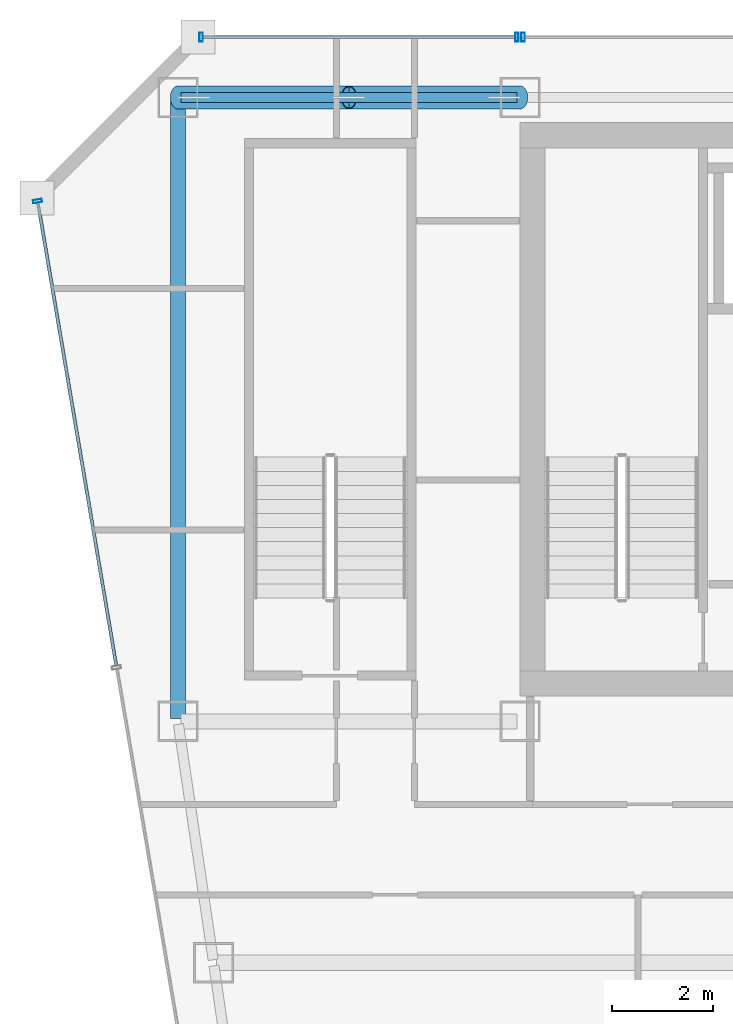
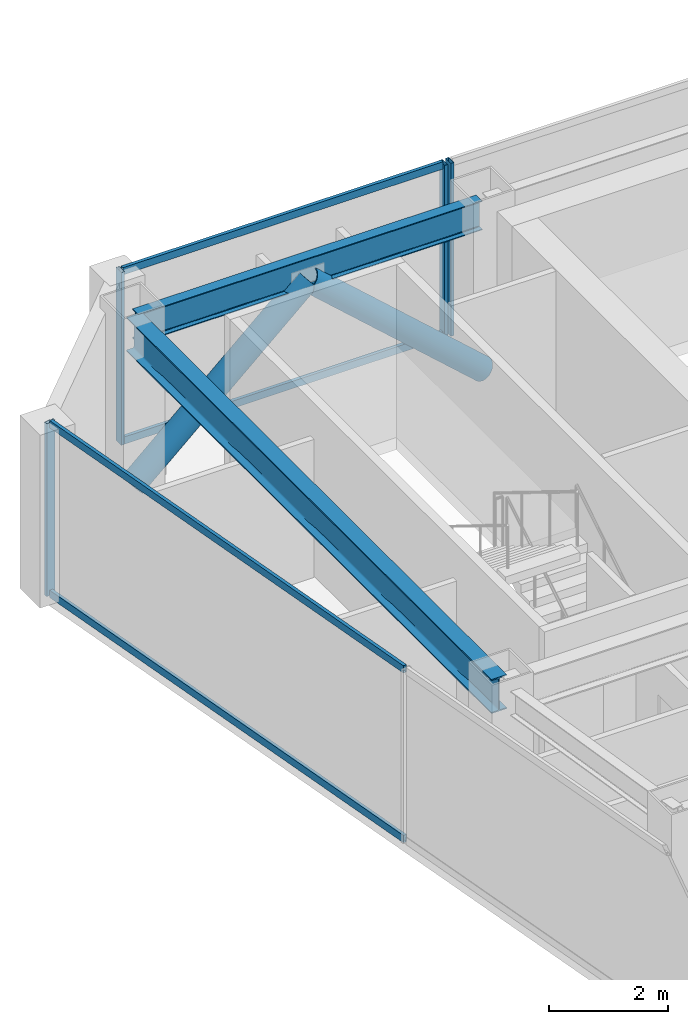
# One storey, part 23 of 35: 10 members, 2 beams, 3 elements without a shape of their own.
"""IFC4 building model written with IfcOpenShell, lengths in metres."""

import ifcopenshell
import ifcopenshell.guid

model = None  # the IFC model being written
_history = None  # IfcOwnerHistory: only IFC2X3 demands one
_inside = {}  # id of a spatial element -> (the spatial element, [elements in it])
_under = {}  # id of a project, library or spatial element -> (it, [spatial elements below it])
_declared = {}  # id of a project -> (the project, [libraries it declares])
_typed = {}  # id of a type object -> (the type object, [elements of that type])
_made_of = {}  # id of a material, layer set ... -> (it, [elements and type objects made of it])


def new_model(schema):
    """Start an empty IFC model of exactly this schema.

    Asked for "IFC4X3", IfcOpenShell would pick the latest addendum, in which some entities
    have other attributes; the version numbers below select the first issue.
    IFC2X3 requires an IfcOwnerHistory on every rooted entity: one is made here for all.
    """
    global model, _history
    if schema == "IFC4X3":
        model = ifcopenshell.file(schema_version=(4, 3, 0, 0))
    else:
        model = ifcopenshell.file(schema=schema)
    _inside.clear()
    _under.clear()
    _declared.clear()
    _typed.clear()
    _made_of.clear()
    _history = None
    if model.schema == "IFC2X3":
        org = make("IfcOrganization", Name="unknown")
        user = make(
            "IfcPersonAndOrganization",
            ThePerson=make("IfcPerson", FamilyName="unknown"),
            TheOrganization=org,
        )
        app = make(
            "IfcApplication",
            ApplicationDeveloper=org,
            Version="unknown",
            ApplicationFullName="unknown",
            ApplicationIdentifier="unknown",
        )
        _history = make(
            "IfcOwnerHistory",
            OwningUser=user,
            OwningApplication=app,
            ChangeAction="ADDED",
            CreationDate=0,
        )
    return model


def make(cls, **values):
    """One entity of the class cls with the attributes given. An attribute that is None is left unset."""
    return model.create_entity(
        cls, **{name: value for name, value in values.items() if value is not None}
    )


def rooted(cls, **values):
    """An entity with a GlobalId (a new one), such as an element, a storey or a relation."""
    return make(cls, GlobalId=ifcopenshell.guid.new(), OwnerHistory=_history, **values)


def si_unit(unit_type, name, prefix=None):
    """IfcSIUnit, for example si_unit("LENGTHUNIT", "METRE", prefix="MILLI")."""
    return make("IfcSIUnit", UnitType=unit_type, Prefix=prefix, Name=name)


def assignment(units):
    """IfcUnitAssignment: the units of a project."""
    return None if units is None else make("IfcUnitAssignment", Units=units)


def point(xyz):
    """IfcCartesianPoint."""
    return None if xyz is None else make("IfcCartesianPoint", Coordinates=xyz)


def direction(xyz):
    """IfcDirection."""
    return None if xyz is None else make("IfcDirection", DirectionRatios=xyz)


def frame(location, z_axis=None, x_axis=None):
    """IfcAxis2Placement3D, a coordinate frame: its origin and axes. An axis left out is left unset."""
    return make(
        "IfcAxis2Placement3D",
        Location=point(location),
        Axis=direction(z_axis),
        RefDirection=direction(x_axis),
    )


def frame_2d(location, x_axis=None):
    """IfcAxis2Placement2D, a coordinate frame in the plane: its origin and x axis."""
    return make(
        "IfcAxis2Placement2D", Location=point(location), RefDirection=direction(x_axis)
    )


def origin():
    """The frame at (0, 0, 0) with its axes left unset."""
    return frame((0.0, 0.0, 0.0))


def origin_2d():
    """The frame at (0, 0) in the plane with its x axis left unset."""
    return frame_2d((0.0, 0.0))


def place(relative_to, where):
    """IfcLocalPlacement: puts the frame where relative to a parent placement (None: the world)."""
    return make(
        "IfcLocalPlacement", PlacementRelTo=relative_to, RelativePlacement=where
    )


def context(
    kind, dimensions, precision=None, world=None, true_north=None, identifier=None
):
    """IfcGeometricRepresentationContext, for example the 3D "Model" context."""
    return make(
        "IfcGeometricRepresentationContext",
        ContextIdentifier=identifier,
        ContextType=kind,
        CoordinateSpaceDimension=dimensions,
        Precision=precision,
        WorldCoordinateSystem=world,
        TrueNorth=true_north,
    )


def subcontext(parent, identifier, kind, view, scale=None):
    """IfcGeometricRepresentationSubContext, for example "Body" below "Model"."""
    return make(
        "IfcGeometricRepresentationSubContext",
        ContextIdentifier=identifier,
        ContextType=kind,
        ParentContext=parent,
        TargetScale=scale,
        TargetView=view,
    )


def project(units=None, contexts=None):
    """IfcProject with its units and contexts."""
    return rooted(
        "IfcProject",
        Name="project",
        RepresentationContexts=contexts,
        UnitsInContext=assignment(units),
    )


def spatial(cls, under=None, at=None, **own):
    """A site, building, storey or space (cls), placed at a placement, below another one or the project."""
    s = rooted(cls, ObjectPlacement=at, **own)
    if under is not None:
        _under.setdefault(under.id(), (under, []))[1].append(s)
    return s


def profile(cls, at=None, kind="AREA", **sizes):
    """A parametric profile (cls). Its sizes go by their IFC names, for example OverallWidth=200.0."""
    return make(cls, ProfileType=kind, Position=at, **sizes)


def hollow_rectangle(**sizes):
    """IfcRectangleHollowProfileDef."""
    return profile("IfcRectangleHollowProfileDef", **sizes)


def hollow_circle(**sizes):
    """IfcCircleHollowProfileDef."""
    return profile("IfcCircleHollowProfileDef", **sizes)


def i_section(**sizes):
    """IfcIShapeProfileDef."""
    return profile("IfcIShapeProfileDef", **sizes)


def extrude(swept, where, along, depth):
    """IfcExtrudedAreaSolid: the profile swept, set in the frame where, extruded along a direction by depth."""
    return make(
        "IfcExtrudedAreaSolid",
        SweptArea=swept,
        Position=where,
        ExtrudedDirection=direction(along),
        Depth=depth,
    )


def shape(context_of_items, identifier, shape_type, items):
    """IfcShapeRepresentation: the items that make up one representation, for example the "Body"."""
    return make(
        "IfcShapeRepresentation",
        ContextOfItems=context_of_items,
        RepresentationIdentifier=identifier,
        RepresentationType=shape_type,
        Items=items,
    )


def material(Name=None, Category=None):
    """IfcMaterial."""
    return make("IfcMaterial", Name=Name, Category=Category)


def material_profile(
    of_material, cross_section, Name=None, Category=None, Priority=None
):
    """IfcMaterialProfile: a cross section and its material."""
    return make(
        "IfcMaterialProfile",
        Name=Name,
        Material=of_material,
        Profile=cross_section,
        Priority=Priority,
        Category=Category,
    )


def profile_set(profiles, Name=None, composite=None):
    """IfcMaterialProfileSet."""
    return make(
        "IfcMaterialProfileSet",
        Name=Name,
        MaterialProfiles=profiles,
        CompositeProfile=composite,
    )


def made_of(thing, what):
    """Note that an element or type object is made of a material, layer set ...; save() writes the relation."""
    if what is not None:
        _made_of.setdefault(what.id(), (what, []))[1].append(thing)
    return thing


def type_object(cls, material=None, **own):
    """A type object (cls), such as IfcWallType, which elements share."""
    return made_of(rooted(cls, **own), material)


def element(
    cls,
    number,
    at=None,
    inside=None,
    cuts=None,
    type_object=None,
    material=None,
    context=None,
    identifier="Body",
    shape_type=None,
    held_by="IfcProductDefinitionShape",
    body=None,
    shapes=None,
    **own,
):
    """One element of the class cls, such as IfcWall. Its Tag is "e" and its number.

    at: its placement. inside: the storey or other place that contains it. cuts: it is an
    opening in that element (IfcRelVoidsElement). A single representation is given by context,
    identifier, shape_type and body (its items); several are given by shapes. held_by: the class
    of the entity that holds the representations. save() writes the other relations.
    """
    e = rooted(cls, Tag="e%d" % number, ObjectPlacement=at, **own)
    if body is not None:
        shapes = [shape(context, identifier, shape_type, body)]
    if shapes is not None:
        e.Representation = make(held_by, Representations=shapes)
    if inside is not None:
        _inside.setdefault(inside.id(), (inside, []))[1].append(e)
    if cuts is not None:
        rooted(
            "IfcRelVoidsElement", RelatingBuildingElement=cuts, RelatedOpeningElement=e
        )
    if type_object is not None:
        _typed.setdefault(type_object.id(), (type_object, []))[1].append(e)
    return made_of(e, material)


def aggregate(whole, parts):
    """IfcRelAggregates: a whole, such as a stair, and the parts it consists of."""
    return rooted("IfcRelAggregates", RelatingObject=whole, RelatedObjects=parts)


def save(model, path):
    """Write the relations noted so far, then the file.

    IfcRelAggregates (storeys below a building ...), IfcRelContainedInSpatialStructure (elements
    in a storey), IfcRelDefinesByType, IfcRelAssociatesMaterial and IfcRelDeclares: one each for
    every whole, place, type object, material and project.
    """
    for whole, parts in _under.values():
        aggregate(whole, parts)
    for where, things in _inside.values():
        rooted(
            "IfcRelContainedInSpatialStructure",
            RelatedElements=things,
            RelatingStructure=where,
        )
    for kind, things in _typed.values():
        rooted("IfcRelDefinesByType", RelatedObjects=things, RelatingType=kind)
    for what, things in _made_of.values():
        rooted("IfcRelAssociatesMaterial", RelatedObjects=things, RelatingMaterial=what)
    for by, libraries in _declared.values():
        rooted("IfcRelDeclares", RelatingContext=by, RelatedDefinitions=libraries)
    model.write(path)


model = new_model("IFC4")

# Units and contexts
model_context = context("Model", 3, precision=1e-05, world=origin(), true_north=direction((0.0, 1.0)))
body_context = subcontext(model_context, "Body", "Model", "MODEL_VIEW")
ifc_project = project(units=[si_unit("LENGTHUNIT", "METRE"), si_unit("AREAUNIT", "SQUARE_METRE"), si_unit("VOLUMEUNIT", "CUBIC_METRE"), si_unit("PLANEANGLEUNIT", "RADIAN"), si_unit("MASSUNIT", "GRAM", prefix="KILO")], contexts=[model_context])

# Site, building, storey
site_placement = place(None, origin())
site = spatial("IfcSite", under=ifc_project, at=site_placement, CompositionType="ELEMENT")
building_placement = place(site_placement, origin())
building = spatial("IfcBuilding", under=site, at=building_placement, Name="Saevonmaru Cultural Tower", CompositionType="ELEMENT")
storey_placement = place(building_placement, frame((0.0, 0.0, 213.199951171875)))
storey = spatial("IfcBuildingStorey", under=building, at=storey_placement, Name="L49", CompositionType="ELEMENT", Elevation=213.199951171875)

# Beams
ifc_material_1 = material(Name="Steel SM355", Category="steel")
ifc_material_profile_1 = material_profile(ifc_material_1, i_section(OverallWidth=0.300048828125, OverallDepth=0.699951171875, WebThickness=0.012939453125, FlangeThickness=0.02392578125, FilletRadius=0.02587890625, at=origin_2d()), Name="H-700x300x13x24")
ifc_profile_set_1 = profile_set([ifc_material_profile_1], Name="Steel SM355")
beam_type_1 = type_object("IfcBeamType", Name="BM-G-H700", PredefinedType="BEAM", material=ifc_profile_set_1)
beam_1_placement = place(storey_placement, frame((6.800048828125, 54.739990234375, 3.199951171875), z_axis=(0.0, -1.0, 0.0), x_axis=(1.0, 0.0, 0.0)))
element("IfcBeam", 1, at=beam_1_placement, inside=storey, type_object=beam_type_1, Name="L49 Spine Transverse Girder W", PredefinedType="BEAM", context=body_context, shape_type="SweptSolid", body=[
    extrude(i_section(OverallWidth=0.300048828125, OverallDepth=0.699951171875, WebThickness=0.012939453125, FlangeThickness=0.02392578125, FilletRadius=0.02587890625, at=origin_2d()), origin(), (0.0, 0.0, 1.0), 12.280029296875),
])
ifc_material_profile_2 = material_profile(ifc_material_1, i_section(OverallWidth=0.199951171875, OverallDepth=0.60009765625, WebThickness=0.010986328125, FlangeThickness=0.01708984375, FilletRadius=0.02197265625, at=origin_2d()), Name="H-600x200x11x17")
ifc_profile_set_2 = profile_set([ifc_material_profile_2], Name="Steel SM355")
beam_type_2 = type_object("IfcBeamType", Name="BM-SP-H600", PredefinedType="SPANDREL", material=ifc_profile_set_2)
beam_2_placement = place(storey_placement, frame((6.860107421875, 54.800048828125, 3.25), z_axis=(1.0, 0.0, 0.0), x_axis=(0.0, 1.0, 0.0)))
element("IfcBeam", 2, at=beam_2_placement, inside=storey, type_object=beam_type_2, Name="L49 North Spine Girder 1", PredefinedType="SPANDREL", context=body_context, shape_type="SweptSolid", body=[
    extrude(i_section(OverallWidth=0.199951171875, OverallDepth=0.60009765625, WebThickness=0.010986328125, FlangeThickness=0.01708984375, FilletRadius=0.02197265625, at=origin_2d()), origin(), (0.0, 0.0, 1.0), 6.679931640625),
])

# Members
ifc_material_2 = material(Name="Steel SM420", Category="steel")
ifc_material_profile_3 = material_profile(ifc_material_2, hollow_circle(Radius=0.228515625, WallThickness=0.02001953125, at=origin_2d()), Name="CHS-457.2x20")
ifc_profile_set_3 = profile_set([ifc_material_profile_3], Name="Steel SM420")
member_type_1 = type_object("IfcMemberType", Name="MB-PBR-CHS457", PredefinedType="BRACE", material=ifc_profile_set_3)
for number, where, z_axis, x_axis, name in (
    (3, (6.800048828125, 54.800048828125, 0.02001953125), (0.744366945704, 0.0, 0.667770806597), (0.0, 1.0, 0.0), "L49 Perimeter Braced-Tube Diagonal WN1"),
    (4, (13.60009765625, 54.800048828125, 0.02001953125), (-0.744390779303, 0.0, 0.66774423823), (0.0, -1.0, 0.0), "L49 Perimeter Braced-Tube Diagonal WN2"),
):
    element("IfcMember", number, at=place(storey_placement, frame(where, z_axis=z_axis, x_axis=x_axis)), inside=storey, type_object=member_type_1, Name=name, PredefinedType="BRACE", context=body_context, shape_type="SweptSolid", body=[
        extrude(hollow_circle(Radius=0.228515625, WallThickness=0.02001953125, at=origin_2d()), origin(), (0.0, 0.0, 1.0), 4.567626953125),
    ])

# Curtain wall, member
ifc_material_3 = material(Name="Satin Bronze Anodised Aluminium", Category="aluminium")
curtain_wall_type = type_object("IfcCurtainWallType", Name="CW-TYP-B", PredefinedType="NOTDEFINED", material=ifc_material_3)
curtain_wall_1_placement = place(storey_placement, origin())
curtain_wall_1 = element("IfcCurtainWall", 5, at=curtain_wall_1_placement, inside=storey, type_object=curtain_wall_type, Name="L49 North Spine Unitised Curtain Wall E10B", PredefinedType="NOTDEFINED")
ifc_material_profile_4 = material_profile(ifc_material_3, hollow_rectangle(XDim=0.06494140625, YDim=0.179931640625, WallThickness=0.00390625, at=origin_2d()), Name="ALU-MULL-180x65x4")
ifc_profile_set_4 = profile_set([ifc_material_profile_4], Name="Satin Bronze Anodised Aluminium")
member_type_2 = type_object("IfcMemberType", Name="ML-CW-180x65", PredefinedType="MULLION", material=ifc_profile_set_4)
member_1_placement = place(storey_placement, frame((13.659912109375, 56.0, 0.0), z_axis=(0.0, 0.0, 1.0), x_axis=(-1.0, 0.0, 0.0)))
member_1 = element("IfcMember", 6, at=member_1_placement, type_object=member_type_2, Name="CW-TW-L49-E10B mullion 4", PredefinedType="MULLION", context=body_context, shape_type="SweptSolid", body=[
    extrude(hollow_rectangle(XDim=0.06494140625, YDim=0.179931640625, WallThickness=0.00390625, at=origin_2d()), origin(), (0.0, 0.0, 1.0), 3.550048828125),
])
aggregate(curtain_wall_1, [member_1])

# Curtain wall, members
curtain_wall_2_placement = place(storey_placement, origin())
curtain_wall_2 = element("IfcCurtainWall", 7, at=curtain_wall_2_placement, inside=storey, type_object=curtain_wall_type, Name="L49 West Braced Bay Spandrel Curtain Wall E10C", PredefinedType="NOTDEFINED")
member_2_placement = place(storey_placement, frame((13.5400390625, 56.0, 0.0), z_axis=(0.0, 0.0, 1.0), x_axis=(-1.0, 0.0, 0.0)))
member_2 = element("IfcMember", 8, at=member_2_placement, type_object=member_type_2, Name="CW-TW-L49-E10C mullion 1", PredefinedType="MULLION", context=body_context, shape_type="SweptSolid", body=[
    extrude(hollow_rectangle(XDim=0.06494140625, YDim=0.179931640625, WallThickness=0.00390625, at=origin_2d()), origin(), (0.0, 0.0, 1.0), 3.550048828125),
])
member_3_placement = place(storey_placement, frame((7.260009765625, 56.0, 0.0), z_axis=(0.0, 0.0, 1.0), x_axis=(-1.0, 0.0, 0.0)))
member_3 = element("IfcMember", 9, at=member_3_placement, type_object=member_type_2, Name="CW-TW-L49-E10C mullion 2", PredefinedType="MULLION", context=body_context, shape_type="SweptSolid", body=[
    extrude(hollow_rectangle(XDim=0.06494140625, YDim=0.179931640625, WallThickness=0.00390625, at=origin_2d()), origin(), (0.0, 0.0, 1.0), 3.550048828125),
])

# Curtain wall, member
curtain_wall_3_placement = place(storey_placement, origin())
curtain_wall_3 = element("IfcCurtainWall", 10, at=curtain_wall_3_placement, inside=storey, type_object=curtain_wall_type, Name="L49 Unitised Curtain Wall E12", PredefinedType="NOTDEFINED")
member_4_placement = place(storey_placement, frame((4.010009765625, 52.74072265625, 0.0), z_axis=(0.0, 0.0, 1.0), x_axis=(0.16692169721, -0.985970155228, 0.0)))
member_4 = element("IfcMember", 11, at=member_4_placement, type_object=member_type_2, Name="CW-TW-L49-E12 mullion 1", PredefinedType="MULLION", context=body_context, shape_type="SweptSolid", body=[
    extrude(hollow_rectangle(XDim=0.06494140625, YDim=0.179931640625, WallThickness=0.00390625, at=origin_2d()), origin(), (0.0, 0.0, 1.0), 3.550048828125),
])

# Member
ifc_material_profile_5 = material_profile(ifc_material_3, hollow_rectangle(XDim=0.06494140625, YDim=0.14990234375, WallThickness=0.00390625, at=origin_2d()), Name="ALU-TRAN-150x65x4")
ifc_profile_set_5 = profile_set([ifc_material_profile_5], Name="Satin Bronze Anodised Aluminium")
member_type_3 = type_object("IfcMemberType", Name="TR-CW-150x65", PredefinedType="USERDEFINED", material=ifc_profile_set_5)
member_5_placement = place(storey_placement, frame((13.507568359375, 56.0, 0.032470703125), z_axis=(-1.0, 0.0, 0.0), x_axis=(0.0, -1.0, 0.0)))
member_5 = element("IfcMember", 12, at=member_5_placement, type_object=member_type_3, Name="CW-TW-L49-E10C transom 1.1", ObjectType="TRANSOM", PredefinedType="USERDEFINED", context=body_context, shape_type="SweptSolid", body=[
    extrude(hollow_rectangle(XDim=0.06494140625, YDim=0.14990234375, WallThickness=0.00390625, at=origin_2d()), origin(), (0.0, 0.0, 1.0), 6.215087890625),
])

member_6_placement = place(storey_placement, frame((13.507568359375, 56.0, 3.517578125), z_axis=(-1.0, 0.0, 0.0), x_axis=(0.0, -1.0, 0.0)))
member_6 = element("IfcMember", 13, at=member_6_placement, type_object=member_type_3, Name="CW-TW-L49-E10C transom 1.2", ObjectType="TRANSOM", PredefinedType="USERDEFINED", context=body_context, shape_type="SweptSolid", body=[
    extrude(hollow_rectangle(XDim=0.06494140625, YDim=0.14990234375, WallThickness=0.00390625, at=origin_2d()), origin(), (0.0, 0.0, 1.0), 6.215087890625),
])

aggregate(curtain_wall_2, [member_2, member_3, member_5, member_6])

member_7_placement = place(storey_placement, frame((4.015380859375, 52.708740234375, 0.032470703125), z_axis=(0.166921263871, -0.985970228591, 0.0), x_axis=(0.985970228591, 0.166921263871, 0.0)))
member_7 = element("IfcMember", 14, at=member_7_placement, type_object=member_type_3, Name="CW-TW-L49-E12 transom 1.1", ObjectType="TRANSOM", PredefinedType="USERDEFINED", context=body_context, shape_type="SweptSolid", body=[
    extrude(hollow_rectangle(XDim=0.06494140625, YDim=0.14990234375, WallThickness=0.00390625, at=origin_2d()), origin(), (0.0, 0.0, 1.0), 9.33740234375),
])

member_8_placement = place(storey_placement, frame((4.015380859375, 52.708740234375, 3.517578125), z_axis=(0.166921263871, -0.985970228591, 0.0), x_axis=(0.985970228591, 0.166921263871, 0.0)))
member_8 = element("IfcMember", 15, at=member_8_placement, type_object=member_type_3, Name="CW-TW-L49-E12 transom 1.2", ObjectType="TRANSOM", PredefinedType="USERDEFINED", context=body_context, shape_type="SweptSolid", body=[
    extrude(hollow_rectangle(XDim=0.06494140625, YDim=0.14990234375, WallThickness=0.00390625, at=origin_2d()), origin(), (0.0, 0.0, 1.0), 9.33740234375),
])

aggregate(curtain_wall_3, [member_4, member_7, member_8])

save(model, "model.ifc")
